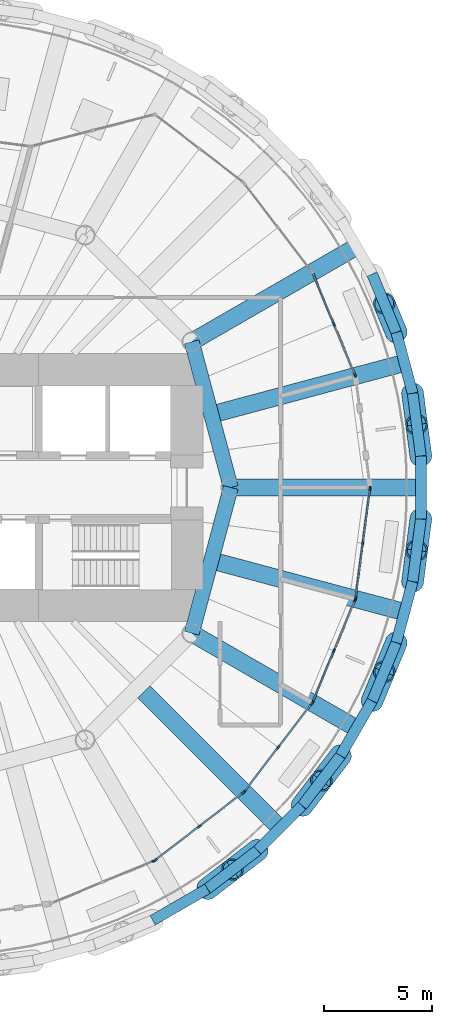
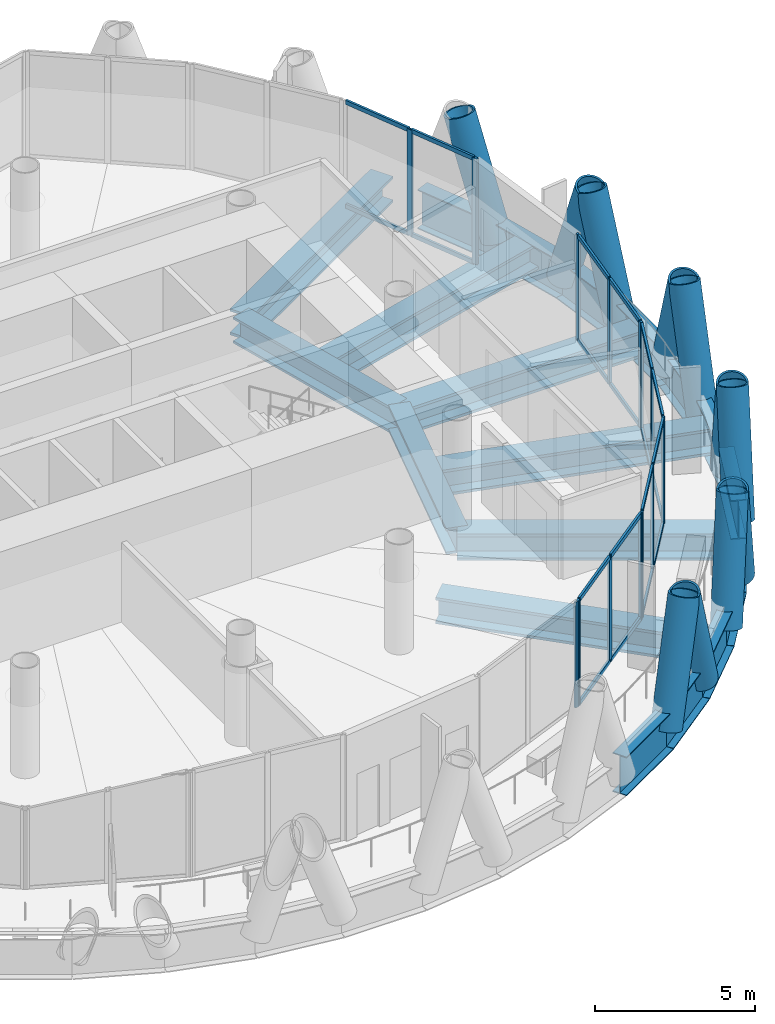
# One storey, part 4 of 14: 46 members, 20 beams, 6 elements without a shape of their own.
"""IFC4 building model written with IfcOpenShell, lengths in metres."""

from ifc_helpers import new_model, si_unit, direction, frame, origin, origin_2d, place, context, subcontext, project, spatial, rectangle, hollow_circle, i_section, extrude, material, material_profile, profile_set, type_object, element, aggregate, save


model = new_model("IFC4")

# Units and contexts
model_context = context("Model", 3, precision=1e-05, world=origin(), true_north=direction((0.0, 1.0)))
body_context = subcontext(model_context, "Body", "Model", "MODEL_VIEW")
ifc_project = project(units=[si_unit("LENGTHUNIT", "METRE"), si_unit("AREAUNIT", "SQUARE_METRE"), si_unit("VOLUMEUNIT", "CUBIC_METRE"), si_unit("PLANEANGLEUNIT", "RADIAN"), si_unit("MASSUNIT", "GRAM", prefix="KILO")], contexts=[model_context])

# Site, building, storey
site_placement = place(None, origin())
site = spatial("IfcSite", under=ifc_project, at=site_placement, CompositionType="ELEMENT")
building_placement = place(site_placement, origin())
building = spatial("IfcBuilding", under=site, at=building_placement, Name="Qaws Media Tower", CompositionType="ELEMENT")
storey_placement = place(building_placement, frame((0.0, 0.0, 248.60009765625)))
storey = spatial("IfcBuildingStorey", under=building, at=storey_placement, Name="L57", CompositionType="ELEMENT", Elevation=248.60009765625)

# Curtain wall, members
ifc_material_1 = material(Name="Aluminium and clear glass", Category="aluminium")
curtain_wall_type = type_object("IfcCurtainWallType", Name="Unitised curtain wall CW-C", PredefinedType="NOTDEFINED", material=ifc_material_1)
curtain_wall_1_placement = place(storey_placement, origin())
curtain_wall_1 = element("IfcCurtainWall", 1, at=curtain_wall_1_placement, inside=storey, type_object=curtain_wall_type, Name="CWC curtain wall L57-02", PredefinedType="NOTDEFINED")
ifc_material_2 = material(Name="Aluminium mullion", Category="aluminium")
ifc_material_profile_1 = material_profile(ifc_material_2, rectangle(XDim=0.080078125, YDim=0.199951171875, at=origin_2d()), Name="80x200")
ifc_profile_set_1 = profile_set([ifc_material_profile_1], Name="Aluminium mullion")
member_type_1 = type_object("IfcMemberType", Name="Curtain wall mullion 80x200", PredefinedType="MULLION", material=ifc_profile_set_1)
member_1_placement = place(storey_placement, frame((79.2548828125, 55.200439453125, 0.0), z_axis=(0.0, 0.0, 1.0), x_axis=(-0.923879560223, -0.382683365464, 0.0)))
member_1 = element("IfcMember", 2, at=member_1_placement, type_object=member_type_1, Name="CWC mullion 1", PredefinedType="MULLION", context=body_context, shape_type="SweptSolid", body=[
    extrude(rectangle(XDim=0.080078125, YDim=0.199951171875, at=origin_2d()), origin(), (0.0, 0.0, 1.0), 4.039794921875),
])
member_2_placement = place(storey_placement, frame((78.273681640625, 57.5693359375, 0.0), z_axis=(0.0, 0.0, 1.0), x_axis=(-0.923879560223, -0.382683365464, 0.0)))
member_2 = element("IfcMember", 3, at=member_2_placement, type_object=member_type_1, Name="CWC mullion 2", PredefinedType="MULLION", context=body_context, shape_type="SweptSolid", body=[
    extrude(rectangle(XDim=0.080078125, YDim=0.199951171875, at=origin_2d()), origin(), (0.0, 0.0, 1.0), 4.039794921875),
])

# Curtain wall, member
curtain_wall_2_placement = place(storey_placement, origin())
curtain_wall_2 = element("IfcCurtainWall", 4, at=curtain_wall_2_placement, inside=storey, type_object=curtain_wall_type, Name="CWC curtain wall L57-20", PredefinedType="NOTDEFINED")
member_3_placement = place(storey_placement, frame((69.93798828125, 32.70751953125, 0.0), z_axis=(0.0, 0.0, 1.0), x_axis=(-0.382683365464, 0.923879560223, 0.0)))
member_3 = element("IfcMember", 5, at=member_3_placement, type_object=member_type_1, Name="CWC mullion 3", PredefinedType="MULLION", context=body_context, shape_type="SweptSolid", body=[
    extrude(rectangle(XDim=0.080078125, YDim=0.199951171875, at=origin_2d()), origin(), (0.0, 0.0, 1.0), 4.039794921875),
])
aggregate(curtain_wall_2, [member_3])

# Curtain wall, members
curtain_wall_3_placement = place(storey_placement, origin())
curtain_wall_3 = element("IfcCurtainWall", 6, at=curtain_wall_3_placement, inside=storey, type_object=curtain_wall_type, Name="CWC curtain wall L57-21", PredefinedType="NOTDEFINED")
member_4_placement = place(storey_placement, frame((70.0068359375, 32.7470703125, 0.0), z_axis=(0.0, 0.0, 1.0), x_axis=(-0.608761513321, 0.793353275596, 0.0)))
member_4 = element("IfcMember", 7, at=member_4_placement, type_object=member_type_1, Name="CWC mullion 1", PredefinedType="MULLION", context=body_context, shape_type="SweptSolid", body=[
    extrude(rectangle(XDim=0.080078125, YDim=0.199951171875, at=origin_2d()), origin(), (0.0, 0.0, 1.0), 4.039794921875),
])
member_5_placement = place(storey_placement, frame((72.040771484375, 34.30810546875, 0.0), z_axis=(0.0, 0.0, 1.0), x_axis=(-0.608761513321, 0.793353275596, 0.0)))
member_5 = element("IfcMember", 8, at=member_5_placement, type_object=member_type_1, Name="CWC mullion 2", PredefinedType="MULLION", context=body_context, shape_type="SweptSolid", body=[
    extrude(rectangle(XDim=0.080078125, YDim=0.199951171875, at=origin_2d()), origin(), (0.0, 0.0, 1.0), 4.039794921875),
])
member_6_placement = place(storey_placement, frame((74.074951171875, 35.868896484375, 0.0), z_axis=(0.0, 0.0, 1.0), x_axis=(-0.608761513321, 0.793353275596, 0.0)))
member_6 = element("IfcMember", 9, at=member_6_placement, type_object=member_type_1, Name="CWC mullion 3", PredefinedType="MULLION", context=body_context, shape_type="SweptSolid", body=[
    extrude(rectangle(XDim=0.080078125, YDim=0.199951171875, at=origin_2d()), origin(), (0.0, 0.0, 1.0), 4.039794921875),
])

curtain_wall_4_placement = place(storey_placement, origin())
curtain_wall_4 = element("IfcCurtainWall", 10, at=curtain_wall_4_placement, inside=storey, type_object=curtain_wall_type, Name="CWC curtain wall L57-22", PredefinedType="NOTDEFINED")
member_7_placement = place(storey_placement, frame((74.131103515625, 35.925048828125, 0.0), z_axis=(0.0, 0.0, 1.0), x_axis=(-0.793353275596, 0.608761513321, 0.0)))
member_7 = element("IfcMember", 11, at=member_7_placement, type_object=member_type_1, Name="CWC mullion 1", PredefinedType="MULLION", context=body_context, shape_type="SweptSolid", body=[
    extrude(rectangle(XDim=0.080078125, YDim=0.199951171875, at=origin_2d()), origin(), (0.0, 0.0, 1.0), 4.039794921875),
])
member_8_placement = place(storey_placement, frame((75.69189453125, 37.959228515625, 0.0), z_axis=(0.0, 0.0, 1.0), x_axis=(-0.793353275596, 0.608761513321, 0.0)))
member_8 = element("IfcMember", 12, at=member_8_placement, type_object=member_type_1, Name="CWC mullion 2", PredefinedType="MULLION", context=body_context, shape_type="SweptSolid", body=[
    extrude(rectangle(XDim=0.080078125, YDim=0.199951171875, at=origin_2d()), origin(), (0.0, 0.0, 1.0), 4.039794921875),
])
member_9_placement = place(storey_placement, frame((77.2529296875, 39.9931640625, 0.0), z_axis=(0.0, 0.0, 1.0), x_axis=(-0.793353275596, 0.608761513321, 0.0)))
member_9 = element("IfcMember", 13, at=member_9_placement, type_object=member_type_1, Name="CWC mullion 3", PredefinedType="MULLION", context=body_context, shape_type="SweptSolid", body=[
    extrude(rectangle(XDim=0.080078125, YDim=0.199951171875, at=origin_2d()), origin(), (0.0, 0.0, 1.0), 4.039794921875),
])

curtain_wall_5_placement = place(storey_placement, origin())
curtain_wall_5 = element("IfcCurtainWall", 14, at=curtain_wall_5_placement, inside=storey, type_object=curtain_wall_type, Name="CWC curtain wall L57-23", PredefinedType="NOTDEFINED")
member_10_placement = place(storey_placement, frame((77.29248046875, 40.06201171875, 0.0), z_axis=(0.0, 0.0, 1.0), x_axis=(-0.923879560223, 0.382683365464, 0.0)))
member_10 = element("IfcMember", 15, at=member_10_placement, type_object=member_type_1, Name="CWC mullion 1", PredefinedType="MULLION", context=body_context, shape_type="SweptSolid", body=[
    extrude(rectangle(XDim=0.080078125, YDim=0.199951171875, at=origin_2d()), origin(), (0.0, 0.0, 1.0), 4.039794921875),
])
member_11_placement = place(storey_placement, frame((78.273681640625, 42.4306640625, 0.0), z_axis=(0.0, 0.0, 1.0), x_axis=(-0.923879560223, 0.382683365464, 0.0)))
member_11 = element("IfcMember", 16, at=member_11_placement, type_object=member_type_1, Name="CWC mullion 2", PredefinedType="MULLION", context=body_context, shape_type="SweptSolid", body=[
    extrude(rectangle(XDim=0.080078125, YDim=0.199951171875, at=origin_2d()), origin(), (0.0, 0.0, 1.0), 4.039794921875),
])
member_12_placement = place(storey_placement, frame((79.2548828125, 44.799560546875, 0.0), z_axis=(0.0, 0.0, 1.0), x_axis=(-0.923879560223, 0.382683365464, 0.0)))
member_12 = element("IfcMember", 17, at=member_12_placement, type_object=member_type_1, Name="CWC mullion 3", PredefinedType="MULLION", context=body_context, shape_type="SweptSolid", body=[
    extrude(rectangle(XDim=0.080078125, YDim=0.199951171875, at=origin_2d()), origin(), (0.0, 0.0, 1.0), 4.039794921875),
])

curtain_wall_6_placement = place(storey_placement, origin())
curtain_wall_6 = element("IfcCurtainWall", 18, at=curtain_wall_6_placement, inside=storey, type_object=curtain_wall_type, Name="CWC curtain wall L57-24", PredefinedType="NOTDEFINED")
member_13_placement = place(storey_placement, frame((79.275390625, 44.876220703125, 0.0), z_axis=(0.0, 0.0, 1.0), x_axis=(-0.991444855713, 0.13052623522, 0.0)))
member_13 = element("IfcMember", 19, at=member_13_placement, type_object=member_type_1, Name="CWC mullion 1", PredefinedType="MULLION", context=body_context, shape_type="SweptSolid", body=[
    extrude(rectangle(XDim=0.080078125, YDim=0.199951171875, at=origin_2d()), origin(), (0.0, 0.0, 1.0), 4.039794921875),
])
member_14_placement = place(storey_placement, frame((79.610107421875, 47.418212890625, 0.0), z_axis=(0.0, 0.0, 1.0), x_axis=(-0.991444855713, 0.13052623522, 0.0)))
member_14 = element("IfcMember", 20, at=member_14_placement, type_object=member_type_1, Name="CWC mullion 2", PredefinedType="MULLION", context=body_context, shape_type="SweptSolid", body=[
    extrude(rectangle(XDim=0.080078125, YDim=0.199951171875, at=origin_2d()), origin(), (0.0, 0.0, 1.0), 4.039794921875),
])
member_15_placement = place(storey_placement, frame((79.94482421875, 49.96044921875, 0.0), z_axis=(0.0, 0.0, 1.0), x_axis=(-0.991444855713, 0.13052623522, 0.0)))
member_15 = element("IfcMember", 21, at=member_15_placement, type_object=member_type_1, Name="CWC mullion 3", PredefinedType="MULLION", context=body_context, shape_type="SweptSolid", body=[
    extrude(rectangle(XDim=0.080078125, YDim=0.199951171875, at=origin_2d()), origin(), (0.0, 0.0, 1.0), 4.039794921875),
])

# Member
ifc_material_3 = material(Name="Aluminium transom", Category="aluminium")
ifc_material_profile_2 = material_profile(ifc_material_3, rectangle(XDim=0.080078125, YDim=0.159912109375, at=origin_2d()), Name="80x160")
ifc_profile_set_2 = profile_set([ifc_material_profile_2], Name="Aluminium transom")
member_type_2 = type_object("IfcMemberType", Name="Curtain wall transom 80x160", PredefinedType="USERDEFINED", material=ifc_profile_set_2)
member_16_placement = place(storey_placement, frame((79.239501953125, 55.2373046875, 0.039794921875), z_axis=(-0.382632467655, 0.923900641139, 0.0), x_axis=(-0.923900641139, -0.382632467655, 0.0)))
member_16 = element("IfcMember", 22, at=member_16_placement, type_object=member_type_2, Name="CWC transom 1.1", ObjectType="TRANSOM", PredefinedType="USERDEFINED", context=body_context, shape_type="SweptSolid", body=[
    extrude(rectangle(XDim=0.080078125, YDim=0.159912109375, at=origin_2d()), origin(), (0.0, 0.0, 1.0), 2.48388671875),
])

member_17_placement = place(storey_placement, frame((79.239501953125, 55.2373046875, 4.0), z_axis=(-0.382632467655, 0.923900641139, 0.0), x_axis=(-0.923900641139, -0.382632467655, 0.0)))
member_17 = element("IfcMember", 23, at=member_17_placement, type_object=member_type_2, Name="CWC transom 1.2", ObjectType="TRANSOM", PredefinedType="USERDEFINED", context=body_context, shape_type="SweptSolid", body=[
    extrude(rectangle(XDim=0.080078125, YDim=0.159912109375, at=origin_2d()), origin(), (0.0, 0.0, 1.0), 2.48388671875),
])

member_18_placement = place(storey_placement, frame((78.25830078125, 57.606201171875, 0.039794921875), z_axis=(-0.382632467655, 0.923900641139, 0.0), x_axis=(-0.923900641139, -0.382632467655, 0.0)))
member_18 = element("IfcMember", 24, at=member_18_placement, type_object=member_type_2, Name="CWC transom 2.1", ObjectType="TRANSOM", PredefinedType="USERDEFINED", context=body_context, shape_type="SweptSolid", body=[
    extrude(rectangle(XDim=0.080078125, YDim=0.159912109375, at=origin_2d()), origin(), (0.0, 0.0, 1.0), 2.48388671875),
])

member_19_placement = place(storey_placement, frame((78.25830078125, 57.606201171875, 4.0), z_axis=(-0.382632467655, 0.923900641139, 0.0), x_axis=(-0.923900641139, -0.382632467655, 0.0)))
member_19 = element("IfcMember", 25, at=member_19_placement, type_object=member_type_2, Name="CWC transom 2.2", ObjectType="TRANSOM", PredefinedType="USERDEFINED", context=body_context, shape_type="SweptSolid", body=[
    extrude(rectangle(XDim=0.080078125, YDim=0.159912109375, at=origin_2d()), origin(), (0.0, 0.0, 1.0), 2.48388671875),
])

aggregate(curtain_wall_1, [member_1, member_2, member_16, member_17, member_18, member_19])

member_20_placement = place(storey_placement, frame((70.03857421875, 32.771484375, 0.039794921875), z_axis=(0.793346858424, 0.608769876249, 0.0), x_axis=(-0.608769876249, 0.793346858424, 0.0)))
member_20 = element("IfcMember", 26, at=member_20_placement, type_object=member_type_2, Name="CWC transom 1.1", ObjectType="TRANSOM", PredefinedType="USERDEFINED", context=body_context, shape_type="SweptSolid", body=[
    extrude(rectangle(XDim=0.080078125, YDim=0.159912109375, at=origin_2d()), origin(), (0.0, 0.0, 1.0), 2.484130859375),
])

member_21_placement = place(storey_placement, frame((70.03857421875, 32.771484375, 4.0), z_axis=(0.793346858424, 0.608769876249, 0.0), x_axis=(-0.608769876249, 0.793346858424, 0.0)))
member_21 = element("IfcMember", 27, at=member_21_placement, type_object=member_type_2, Name="CWC transom 1.2", ObjectType="TRANSOM", PredefinedType="USERDEFINED", context=body_context, shape_type="SweptSolid", body=[
    extrude(rectangle(XDim=0.080078125, YDim=0.159912109375, at=origin_2d()), origin(), (0.0, 0.0, 1.0), 2.484130859375),
])

member_22_placement = place(storey_placement, frame((72.072509765625, 34.332275390625, 0.039794921875), z_axis=(0.793346858424, 0.608769876249, 0.0), x_axis=(-0.608769876249, 0.793346858424, 0.0)))
member_22 = element("IfcMember", 28, at=member_22_placement, type_object=member_type_2, Name="CWC transom 2.1", ObjectType="TRANSOM", PredefinedType="USERDEFINED", context=body_context, shape_type="SweptSolid", body=[
    extrude(rectangle(XDim=0.080078125, YDim=0.159912109375, at=origin_2d()), origin(), (0.0, 0.0, 1.0), 2.484130859375),
])

member_23_placement = place(storey_placement, frame((72.072509765625, 34.332275390625, 4.0), z_axis=(0.793346858424, 0.608769876249, 0.0), x_axis=(-0.608769876249, 0.793346858424, 0.0)))
member_23 = element("IfcMember", 29, at=member_23_placement, type_object=member_type_2, Name="CWC transom 2.2", ObjectType="TRANSOM", PredefinedType="USERDEFINED", context=body_context, shape_type="SweptSolid", body=[
    extrude(rectangle(XDim=0.080078125, YDim=0.159912109375, at=origin_2d()), origin(), (0.0, 0.0, 1.0), 2.484130859375),
])

aggregate(curtain_wall_3, [member_4, member_5, member_6, member_20, member_21, member_22, member_23])

member_24_placement = place(storey_placement, frame((74.155517578125, 35.956787109375, 0.039794921875), z_axis=(0.608769876249, 0.793346858424, 0.0), x_axis=(-0.793346858424, 0.608769876249, 0.0)))
member_24 = element("IfcMember", 30, at=member_24_placement, type_object=member_type_2, Name="CWC transom 1.1", ObjectType="TRANSOM", PredefinedType="USERDEFINED", context=body_context, shape_type="SweptSolid", body=[
    extrude(rectangle(XDim=0.080078125, YDim=0.159912109375, at=origin_2d()), origin(), (0.0, 0.0, 1.0), 2.484130859375),
])

member_25_placement = place(storey_placement, frame((74.155517578125, 35.956787109375, 4.0), z_axis=(0.608769876249, 0.793346858424, 0.0), x_axis=(-0.793346858424, 0.608769876249, 0.0)))
member_25 = element("IfcMember", 31, at=member_25_placement, type_object=member_type_2, Name="CWC transom 1.2", ObjectType="TRANSOM", PredefinedType="USERDEFINED", context=body_context, shape_type="SweptSolid", body=[
    extrude(rectangle(XDim=0.080078125, YDim=0.159912109375, at=origin_2d()), origin(), (0.0, 0.0, 1.0), 2.484130859375),
])

member_26_placement = place(storey_placement, frame((75.71630859375, 37.99072265625, 0.039794921875), z_axis=(0.608769876249, 0.793346858424, 0.0), x_axis=(-0.793346858424, 0.608769876249, 0.0)))
member_26 = element("IfcMember", 32, at=member_26_placement, type_object=member_type_2, Name="CWC transom 2.1", ObjectType="TRANSOM", PredefinedType="USERDEFINED", context=body_context, shape_type="SweptSolid", body=[
    extrude(rectangle(XDim=0.080078125, YDim=0.159912109375, at=origin_2d()), origin(), (0.0, 0.0, 1.0), 2.484130859375),
])

member_27_placement = place(storey_placement, frame((75.71630859375, 37.99072265625, 4.0), z_axis=(0.608769876249, 0.793346858424, 0.0), x_axis=(-0.793346858424, 0.608769876249, 0.0)))
member_27 = element("IfcMember", 33, at=member_27_placement, type_object=member_type_2, Name="CWC transom 2.2", ObjectType="TRANSOM", PredefinedType="USERDEFINED", context=body_context, shape_type="SweptSolid", body=[
    extrude(rectangle(XDim=0.080078125, YDim=0.159912109375, at=origin_2d()), origin(), (0.0, 0.0, 1.0), 2.484130859375),
])

aggregate(curtain_wall_4, [member_7, member_8, member_9, member_24, member_25, member_26, member_27])

member_28_placement = place(storey_placement, frame((77.307861328125, 40.098876953125, 0.039794921875), z_axis=(0.382632467655, 0.923900641139, 0.0), x_axis=(-0.923900641139, 0.382632467655, 0.0)))
member_28 = element("IfcMember", 34, at=member_28_placement, type_object=member_type_2, Name="CWC transom 1.1", ObjectType="TRANSOM", PredefinedType="USERDEFINED", context=body_context, shape_type="SweptSolid", body=[
    extrude(rectangle(XDim=0.080078125, YDim=0.159912109375, at=origin_2d()), origin(), (0.0, 0.0, 1.0), 2.48388671875),
])

member_29_placement = place(storey_placement, frame((77.307861328125, 40.098876953125, 4.0), z_axis=(0.382632467655, 0.923900641139, 0.0), x_axis=(-0.923900641139, 0.382632467655, 0.0)))
member_29 = element("IfcMember", 35, at=member_29_placement, type_object=member_type_2, Name="CWC transom 1.2", ObjectType="TRANSOM", PredefinedType="USERDEFINED", context=body_context, shape_type="SweptSolid", body=[
    extrude(rectangle(XDim=0.080078125, YDim=0.159912109375, at=origin_2d()), origin(), (0.0, 0.0, 1.0), 2.48388671875),
])

member_30_placement = place(storey_placement, frame((78.2890625, 42.4677734375, 0.039794921875), z_axis=(0.382632467655, 0.923900641139, 0.0), x_axis=(-0.923900641139, 0.382632467655, 0.0)))
member_30 = element("IfcMember", 36, at=member_30_placement, type_object=member_type_2, Name="CWC transom 2.1", ObjectType="TRANSOM", PredefinedType="USERDEFINED", context=body_context, shape_type="SweptSolid", body=[
    extrude(rectangle(XDim=0.080078125, YDim=0.159912109375, at=origin_2d()), origin(), (0.0, 0.0, 1.0), 2.48388671875),
])

member_31_placement = place(storey_placement, frame((78.2890625, 42.4677734375, 4.0), z_axis=(0.382632467655, 0.923900641139, 0.0), x_axis=(-0.923900641139, 0.382632467655, 0.0)))
member_31 = element("IfcMember", 37, at=member_31_placement, type_object=member_type_2, Name="CWC transom 2.2", ObjectType="TRANSOM", PredefinedType="USERDEFINED", context=body_context, shape_type="SweptSolid", body=[
    extrude(rectangle(XDim=0.080078125, YDim=0.159912109375, at=origin_2d()), origin(), (0.0, 0.0, 1.0), 2.48388671875),
])

aggregate(curtain_wall_5, [member_10, member_11, member_12, member_28, member_29, member_30, member_31])

member_32_placement = place(storey_placement, frame((79.28076171875, 44.915771484375, 0.039794921875), z_axis=(0.130515527399, 0.991446265366, 0.0), x_axis=(-0.991446265366, 0.130515527399, 0.0)))
member_32 = element("IfcMember", 38, at=member_32_placement, type_object=member_type_2, Name="CWC transom 1.1", ObjectType="TRANSOM", PredefinedType="USERDEFINED", context=body_context, shape_type="SweptSolid", body=[
    extrude(rectangle(XDim=0.080078125, YDim=0.159912109375, at=origin_2d()), origin(), (0.0, 0.0, 1.0), 2.484130859375),
])

member_33_placement = place(storey_placement, frame((79.28076171875, 44.915771484375, 4.0), z_axis=(0.130515527399, 0.991446265366, 0.0), x_axis=(-0.991446265366, 0.130515527399, 0.0)))
member_33 = element("IfcMember", 39, at=member_33_placement, type_object=member_type_2, Name="CWC transom 1.2", ObjectType="TRANSOM", PredefinedType="USERDEFINED", context=body_context, shape_type="SweptSolid", body=[
    extrude(rectangle(XDim=0.080078125, YDim=0.159912109375, at=origin_2d()), origin(), (0.0, 0.0, 1.0), 2.484130859375),
])

member_34_placement = place(storey_placement, frame((79.615234375, 47.4580078125, 0.039794921875), z_axis=(0.130528245944, 0.991444590994, 0.0), x_axis=(-0.991444590994, 0.130528245944, 0.0)))
member_34 = element("IfcMember", 40, at=member_34_placement, type_object=member_type_2, Name="CWC transom 2.1", ObjectType="TRANSOM", PredefinedType="USERDEFINED", context=body_context, shape_type="SweptSolid", body=[
    extrude(rectangle(XDim=0.080078125, YDim=0.159912109375, at=origin_2d()), origin(), (0.0, 0.0, 1.0), 2.48388671875),
])

member_35_placement = place(storey_placement, frame((79.615234375, 47.4580078125, 4.0), z_axis=(0.130528245944, 0.991444590994, 0.0), x_axis=(-0.991444590994, 0.130528245944, 0.0)))
member_35 = element("IfcMember", 41, at=member_35_placement, type_object=member_type_2, Name="CWC transom 2.2", ObjectType="TRANSOM", PredefinedType="USERDEFINED", context=body_context, shape_type="SweptSolid", body=[
    extrude(rectangle(XDim=0.080078125, YDim=0.159912109375, at=origin_2d()), origin(), (0.0, 0.0, 1.0), 2.48388671875),
])

aggregate(curtain_wall_6, [member_13, member_14, member_15, member_32, member_33, member_34, member_35])

# Members
ifc_material_4 = material(Name="Steel S460", Category="steel")
ifc_material_profile_3 = material_profile(ifc_material_4, hollow_circle(Radius=0.508056640625, WallThickness=0.070068359375, at=origin_2d()), Name="CHS 1016x70")
ifc_profile_set_3 = profile_set([ifc_material_profile_3], Name="Steel S460")
member_type_3 = type_object("IfcMemberType", Name="Diagrid member CHS 1016x70", PredefinedType="USERDEFINED", material=ifc_profile_set_3)
for number, where, z_axis, x_axis, name in (
    (42, (82.30224609375, 51.461669921875, -0.91015625), (-0.043425297119, 0.325826976487, 0.944431588292), (-0.991235192413, -0.13210902059, 0.0), "DG3 diagrid L57 A01"),
    (43, (82.30224609375, 48.538330078125, -0.91015625), (-0.043425297119, -0.325826976487, 0.944431588292), (0.991235192413, -0.13210902059, 0.0), "DG3 diagrid L57 B01"),
    (44, (81.163818359375, 57.18408203125, -0.91015625), (-0.126212332869, 0.303535445165, 0.944423994062), (-0.923358307497, -0.383939364973, 0.0), "DG3 diagrid L57 A02"),
    (45, (81.920654296875, 54.3603515625, -0.91015625), (0.042381833377, -0.325988765013, 0.944423160074), (0.991654336332, 0.128925083807, 0.0), "DG3 diagrid L57 B02"),
    (46, (72.4169921875, 31.416748046875, -0.91015625), (0.2604988777, 0.200438651735, 0.944438818351), (-0.609815690704, 0.792543262775, 0.0), "DG3 diagrid L57 A21"),
    (47, (76.8037109375, 35.263671875, -0.91015625), (0.199724883041, 0.261047778686, 0.9444384725), (-0.794210841026, 0.607642279632, 0.0), "DG3 diagrid L57 A22"),
    (48, (74.736328125, 33.1962890625, -0.91015625), (-0.261047778686, -0.199724883041, 0.9444384725), (0.607642279632, -0.794210841026, 0.0), "DG3 diagrid L57 B22"),
    (49, (80.045166015625, 40.11474609375, -0.91015625), (0.125335260643, 0.303868010364, 0.944433854072), (-0.924449640149, 0.381304160517, 0.0), "DG3 diagrid L57 A23"),
    (50, (78.583251953125, 37.5830078125, -0.91015625), (-0.200438651735, -0.2604988777, 0.944438818351), (0.792543262775, -0.609815690704, 0.0), "DG3 diagrid L57 B23"),
    (51, (81.920654296875, 45.6396484375, -0.91015625), (0.042381833377, 0.325988765013, 0.944423160074), (-0.991654336332, 0.128925083807, 0.0), "DG3 diagrid L57 A24"),
    (52, (81.163818359375, 42.81591796875, -0.91015625), (-0.126212332869, -0.303535445165, 0.944423994062), (0.923358307497, -0.383939364973, 0.0), "DG3 diagrid L57 B24"),
):
    element("IfcMember", number, at=place(storey_placement, frame(where, z_axis=z_axis, x_axis=x_axis)), inside=storey, type_object=member_type_3, Name=name, ObjectType="DIAGRID", PredefinedType="USERDEFINED", context=body_context, shape_type="SweptSolid", body=[
        extrude(hollow_circle(Radius=0.508056640625, WallThickness=0.070068359375, at=origin_2d()), origin(), (0.0, 0.0, 1.0), 4.447021484375),
    ])

# Beams
ifc_material_5 = material(Name="Steel S460", Category="steel")
ifc_material_profile_4 = material_profile(ifc_material_5, i_section(OverallWidth=0.5, OverallDepth=1.5, WebThickness=0.02001953125, FlangeThickness=0.0400390625, at=origin_2d()), Name="PG 1500x500")
ifc_profile_set_4 = profile_set([ifc_material_profile_4], Name="Steel S460")
beam_type_1 = type_object("IfcBeamType", Name="Edge ring beam PG 1500x500", PredefinedType="BEAM", material=ifc_profile_set_4)
beam_1_placement = place(storey_placement, frame((82.30224609375, 51.461669921875, -0.91015625), z_axis=(-0.130517154715, 0.991446051142, 0.0), x_axis=(-0.991446051142, -0.130517154715, 0.0)))
element("IfcBeam", 53, at=beam_1_placement, inside=storey, type_object=beam_type_1, Name="RB4 edge ring beam L57-01", PredefinedType="BEAM", context=body_context, shape_type="SweptSolid", body=[
    extrude(i_section(OverallWidth=0.5, OverallDepth=1.5, WebThickness=0.02001953125, FlangeThickness=0.0400390625, at=origin_2d()), origin(), (0.0, 0.0, 1.0), 2.923583984375),
])
beam_2_placement = place(storey_placement, frame((81.920654296875, 54.3603515625, -0.91015625), z_axis=(-0.258889142904, 0.965907040913, 0.0), x_axis=(-0.965907040913, -0.258889142904, 0.0)))
element("IfcBeam", 54, at=beam_2_placement, inside=storey, type_object=beam_type_1, Name="RB4 edge ring beam L57-02", PredefinedType="BEAM", context=body_context, shape_type="SweptSolid", body=[
    extrude(i_section(OverallWidth=0.5, OverallDepth=1.5, WebThickness=0.02001953125, FlangeThickness=0.0400390625, at=origin_2d()), origin(), (0.0, 0.0, 1.0), 2.92333984375),
])
for number, where, z_axis, x_axis, name in (
    (55, (81.163818359375, 57.18408203125, -0.91015625), (-0.382622215492, 0.923904886994, 0.0), (-0.923904886994, -0.382622215492, 0.0), "RB4 edge ring beam L57-03"),
    (56, (69.88525390625, 29.954833984375, -0.91015625), (0.865993663503, 0.500054971751, 0.0), (-0.500054971751, 0.865993663503, 0.0), "RB4 edge ring beam L57-40"),
):
    element("IfcBeam", number, at=place(storey_placement, frame(where, z_axis=z_axis, x_axis=x_axis)), inside=storey, type_object=beam_type_1, Name=name, PredefinedType="BEAM", context=body_context, shape_type="SweptSolid", body=[
        extrude(i_section(OverallWidth=0.5, OverallDepth=1.5, WebThickness=0.02001953125, FlangeThickness=0.0400390625, at=origin_2d()), origin(), (0.0, 0.0, 1.0), 2.923583984375),
    ])
beam_3_placement = place(storey_placement, frame((72.4169921875, 31.416748046875, -0.91015625), z_axis=(0.793377797555, 0.608729554356, 0.0), x_axis=(-0.608729554356, 0.793377797555, 0.0)))
element("IfcBeam", 57, at=beam_3_placement, inside=storey, type_object=beam_type_1, Name="RB4 edge ring beam L57-41", PredefinedType="BEAM", context=body_context, shape_type="SweptSolid", body=[
    extrude(i_section(OverallWidth=0.5, OverallDepth=1.5, WebThickness=0.02001953125, FlangeThickness=0.0400390625, at=origin_2d()), origin(), (0.0, 0.0, 1.0), 2.92333984375),
])
beam_4_placement = place(storey_placement, frame((74.736328125, 33.1962890625, -0.91015625), z_axis=(0.707106781187, 0.707106781187, 0.0), x_axis=(-0.707106781187, 0.707106781187, 0.0)))
element("IfcBeam", 58, at=beam_4_placement, inside=storey, type_object=beam_type_1, Name="RB4 edge ring beam L57-42", PredefinedType="BEAM", context=body_context, shape_type="SweptSolid", body=[
    extrude(i_section(OverallWidth=0.5, OverallDepth=1.5, WebThickness=0.02001953125, FlangeThickness=0.0400390625, at=origin_2d()), origin(), (0.0, 0.0, 1.0), 2.923828125),
])
beam_5_placement = place(storey_placement, frame((76.8037109375, 35.263671875, -0.91015625), z_axis=(0.608729554356, 0.793377797555, 0.0), x_axis=(-0.793377797555, 0.608729554356, 0.0)))
element("IfcBeam", 59, at=beam_5_placement, inside=storey, type_object=beam_type_1, Name="RB4 edge ring beam L57-43", PredefinedType="BEAM", context=body_context, shape_type="SweptSolid", body=[
    extrude(i_section(OverallWidth=0.5, OverallDepth=1.5, WebThickness=0.02001953125, FlangeThickness=0.0400390625, at=origin_2d()), origin(), (0.0, 0.0, 1.0), 2.92333984375),
])
for number, where, z_axis, x_axis, name in (
    (60, (78.583251953125, 37.5830078125, -0.91015625), (0.500054971751, 0.865993663503, 0.0), (-0.865993663503, 0.500054971751, 0.0), "RB4 edge ring beam L57-44"),
    (61, (80.045166015625, 40.11474609375, -0.91015625), (0.382622215492, 0.923904886994, 0.0), (-0.923904886994, 0.382622215492, 0.0), "RB4 edge ring beam L57-45"),
):
    element("IfcBeam", number, at=place(storey_placement, frame(where, z_axis=z_axis, x_axis=x_axis)), inside=storey, type_object=beam_type_1, Name=name, PredefinedType="BEAM", context=body_context, shape_type="SweptSolid", body=[
        extrude(i_section(OverallWidth=0.5, OverallDepth=1.5, WebThickness=0.02001953125, FlangeThickness=0.0400390625, at=origin_2d()), origin(), (0.0, 0.0, 1.0), 2.923583984375),
    ])
beam_6_placement = place(storey_placement, frame((81.163818359375, 42.81591796875, -0.91015625), z_axis=(0.258889142904, 0.965907040913, 0.0), x_axis=(-0.965907040913, 0.258889142904, 0.0)))
element("IfcBeam", 62, at=beam_6_placement, inside=storey, type_object=beam_type_1, Name="RB4 edge ring beam L57-46", PredefinedType="BEAM", context=body_context, shape_type="SweptSolid", body=[
    extrude(i_section(OverallWidth=0.5, OverallDepth=1.5, WebThickness=0.02001953125, FlangeThickness=0.0400390625, at=origin_2d()), origin(), (0.0, 0.0, 1.0), 2.92333984375),
])
beam_7_placement = place(storey_placement, frame((81.920654296875, 45.6396484375, -0.91015625), z_axis=(0.130517154715, 0.991446051142, 0.0), x_axis=(-0.991446051142, 0.130517154715, 0.0)))
element("IfcBeam", 63, at=beam_7_placement, inside=storey, type_object=beam_type_1, Name="RB4 edge ring beam L57-47", PredefinedType="BEAM", context=body_context, shape_type="SweptSolid", body=[
    extrude(i_section(OverallWidth=0.5, OverallDepth=1.5, WebThickness=0.02001953125, FlangeThickness=0.0400390625, at=origin_2d()), origin(), (0.0, 0.0, 1.0), 2.923583984375),
])
beam_8_placement = place(storey_placement, frame((82.30224609375, 48.538330078125, -0.91015625), z_axis=(0.0, 1.0, 0.0), x_axis=(-1.0, 0.0, 0.0)))
element("IfcBeam", 64, at=beam_8_placement, inside=storey, type_object=beam_type_1, Name="RB4 edge ring beam L57-48", PredefinedType="BEAM", context=body_context, shape_type="SweptSolid", body=[
    extrude(i_section(OverallWidth=0.5, OverallDepth=1.5, WebThickness=0.02001953125, FlangeThickness=0.0400390625, at=origin_2d()), origin(), (0.0, 0.0, 1.0), 2.92333984375),
])
ifc_material_6 = material(Name="Steel S460", Category="steel")
ifc_material_profile_5 = material_profile(ifc_material_6, i_section(OverallWidth=0.699951171875, OverallDepth=1.0, WebThickness=0.034912109375, FlangeThickness=0.090087890625, at=origin_2d()), Name="PG 1000x700")
ifc_profile_set_5 = profile_set([ifc_material_profile_5], Name="Steel S460")
beam_type_2 = type_object("IfcBeamType", Name="Inner ring girder PG 1000x700", PredefinedType="BEAM", material=ifc_profile_set_5)
for number, where, z_axis, x_axis, name in (
    (65, (73.5, 50.0, -0.66015625), (-0.258810593767, 0.965928090778, 0.0), (-0.965928090778, -0.258810593767, 0.0), "B3 inner ring beam L57 I01-I02"),
    (66, (71.69140625, 43.25, -0.66015625), (0.258810593767, 0.965928090778, 0.0), (-0.965928090778, 0.258810593767, 0.0), "B3 inner ring beam L57 I12-I01"),
):
    element("IfcBeam", number, at=place(storey_placement, frame(where, z_axis=z_axis, x_axis=x_axis)), inside=storey, type_object=beam_type_2, Name=name, PredefinedType="BEAM", context=body_context, shape_type="SweptSolid", body=[
        extrude(i_section(OverallWidth=0.699951171875, OverallDepth=1.0, WebThickness=0.034912109375, FlangeThickness=0.090087890625, at=origin_2d()), origin(), (0.0, 0.0, 1.0), 6.988037109375),
    ])
ifc_material_7 = material(Name="Steel S460", Category="steel")
ifc_material_profile_6 = material_profile(ifc_material_7, i_section(OverallWidth=0.800048828125, OverallDepth=1.0, WebThickness=0.0400390625, FlangeThickness=0.10009765625, at=origin_2d()), Name="PG 1000x800")
ifc_profile_set_6 = profile_set([ifc_material_profile_6], Name="Steel S460")
beam_type_3 = type_object("IfcBeamType", Name="Radial girder PG 1000x800", PredefinedType="BEAM", material=ifc_profile_set_6)
beam_9_placement = place(storey_placement, frame((73.5, 50.0, -0.66015625), z_axis=(1.0, 0.0, 0.0), x_axis=(0.0, 1.0, 0.0)))
element("IfcBeam", 67, at=beam_9_placement, inside=storey, type_object=beam_type_3, Name="B1 radial beam L57 01", PredefinedType="BEAM", context=body_context, shape_type="SweptSolid", body=[
    extrude(i_section(OverallWidth=0.800048828125, OverallDepth=1.0, WebThickness=0.0400390625, FlangeThickness=0.10009765625, at=origin_2d()), origin(), (0.0, 0.0, 1.0), 8.80224609375),
])
beam_10_placement = place(storey_placement, frame((72.933837890625, 53.465576171875, -0.66015625), z_axis=(0.965925062839, 0.258821894319, 0.0), x_axis=(-0.258821894319, 0.965925062839, 0.0)))
element("IfcBeam", 68, at=beam_10_placement, inside=storey, type_object=beam_type_3, Name="B1 radial beam L57 02", PredefinedType="BEAM", context=body_context, shape_type="SweptSolid", body=[
    extrude(i_section(OverallWidth=0.800048828125, OverallDepth=1.0, WebThickness=0.0400390625, FlangeThickness=0.10009765625, at=origin_2d()), origin(), (0.0, 0.0, 1.0), 8.912109375),
])
beam_11_placement = place(storey_placement, frame((71.69140625, 56.75, -0.66015625), z_axis=(0.866020689157, 0.500008165885, 0.0), x_axis=(-0.500008165885, 0.866020689157, 0.0)))
element("IfcBeam", 69, at=beam_11_placement, inside=storey, type_object=beam_type_3, Name="B1 radial beam L57 03", PredefinedType="BEAM", context=body_context, shape_type="SweptSolid", body=[
    extrude(i_section(OverallWidth=0.800048828125, OverallDepth=1.0, WebThickness=0.0400390625, FlangeThickness=0.10009765625, at=origin_2d()), origin(), (0.0, 0.0, 1.0), 8.802001953125),
])
beam_12_placement = place(storey_placement, frame((69.46826171875, 40.53173828125, -0.66015625), z_axis=(0.707106781187, -0.707106781187, 0.0), x_axis=(0.707106781187, 0.707106781187, 0.0)))
element("IfcBeam", 70, at=beam_12_placement, inside=storey, type_object=beam_type_3, Name="B1 radial beam L57 22", PredefinedType="BEAM", context=body_context, shape_type="SweptSolid", body=[
    extrude(i_section(OverallWidth=0.800048828125, OverallDepth=1.0, WebThickness=0.0400390625, FlangeThickness=0.10009765625, at=origin_2d()), origin(), (0.0, 0.0, 1.0), 8.912109375),
])
beam_13_placement = place(storey_placement, frame((71.69140625, 43.25, -0.66015625), z_axis=(0.866020689157, -0.500008165885, 0.0), x_axis=(0.500008165885, 0.866020689157, 0.0)))
element("IfcBeam", 71, at=beam_13_placement, inside=storey, type_object=beam_type_3, Name="B1 radial beam L57 23", PredefinedType="BEAM", context=body_context, shape_type="SweptSolid", body=[
    extrude(i_section(OverallWidth=0.800048828125, OverallDepth=1.0, WebThickness=0.0400390625, FlangeThickness=0.10009765625, at=origin_2d()), origin(), (0.0, 0.0, 1.0), 8.802001953125),
])
beam_14_placement = place(storey_placement, frame((72.933837890625, 46.534423828125, -0.66015625), z_axis=(0.965925062839, -0.258821894319, 0.0), x_axis=(0.258821894319, 0.965925062839, 0.0)))
element("IfcBeam", 72, at=beam_14_placement, inside=storey, type_object=beam_type_3, Name="B1 radial beam L57 24", PredefinedType="BEAM", context=body_context, shape_type="SweptSolid", body=[
    extrude(i_section(OverallWidth=0.800048828125, OverallDepth=1.0, WebThickness=0.0400390625, FlangeThickness=0.10009765625, at=origin_2d()), origin(), (0.0, 0.0, 1.0), 8.912109375),
])

save(model, "model.ifc")
